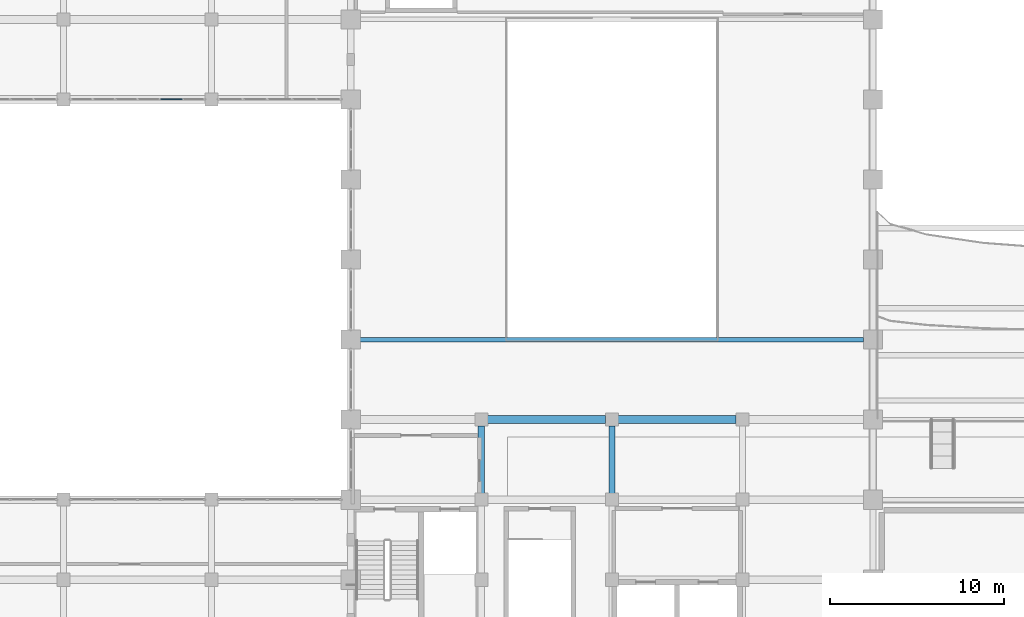
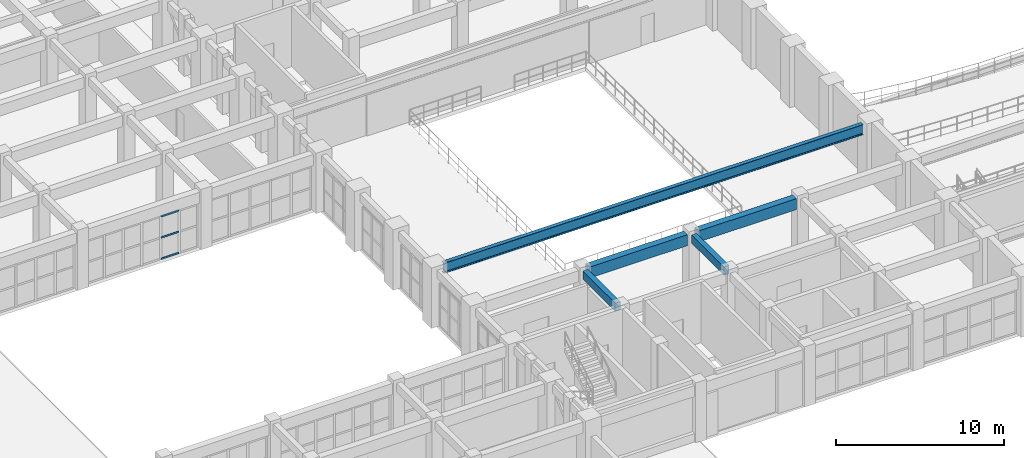
# One storey, part 16 of 90: 5 beams, 3 members, 1 element without a shape of its own.
"""IFC4 building model written with IfcOpenShell, lengths in metres."""

from ifc_helpers import new_model, si_unit, direction, frame, origin, origin_2d, place, context, subcontext, project, spatial, rectangle, hollow_rectangle, i_section, extrude, material, layer, layer_set, material_profile, profile_set, type_object, element, aggregate, save


model = new_model("IFC4")

# Units and contexts
model_context = context("Model", 3, precision=1e-05, world=origin(), true_north=direction((0.0, 1.0)))
body_context = subcontext(model_context, "Body", "Model", "MODEL_VIEW")
ifc_project = project(units=[si_unit("LENGTHUNIT", "METRE"), si_unit("AREAUNIT", "SQUARE_METRE"), si_unit("VOLUMEUNIT", "CUBIC_METRE"), si_unit("PLANEANGLEUNIT", "RADIAN"), si_unit("MASSUNIT", "GRAM", prefix="KILO")], contexts=[model_context])

# Site, building, storey
site_placement = place(None, origin())
site = spatial("IfcSite", under=ifc_project, at=site_placement, CompositionType="ELEMENT")
building_placement = place(site_placement, origin())
building = spatial("IfcBuilding", under=site, at=building_placement, Name="Muzn Square Opera House", CompositionType="ELEMENT")
storey_placement = place(building_placement, frame((0.0, 0.0, 9.800048828125)))
storey = spatial("IfcBuildingStorey", under=building, at=storey_placement, Name="L02", CompositionType="ELEMENT", Elevation=9.800048828125)

# Curtain wall, members
ifc_material_1 = material(Name="Low-E laminated acoustic double glazing", Category="glass")
ifc_layer = layer(ifc_material_1, 0.159912109375, Name="Low-E laminated acoustic double glazing", Category="glass")
ifc_layer_set = layer_set([ifc_layer], Name="Low-E laminated acoustic double glazing")
curtain_wall_type = type_object("IfcCurtainWallType", Name="Glazed Curtain Wall WestCloisterN 7750x3150", PredefinedType="USERDEFINED", material=ifc_layer_set)
curtain_wall_placement = place(storey_placement, origin())
curtain_wall = element("IfcCurtainWall", 1, at=curtain_wall_placement, inside=storey, type_object=curtain_wall_type, Name="Glazed Curtain Wall CW-L02-096", ObjectType="GLAZED CURTAIN WALL", PredefinedType="USERDEFINED")
ifc_material_2 = material(Name="Anodised bronze aluminium 6063-T6", Category="metal")
ifc_material_profile_1 = material_profile(ifc_material_2, hollow_rectangle(XDim=0.06005859375, YDim=0.1201171875, WallThickness=0.00390625, at=origin_2d()), Name="ALU 120x60x4", Category="metal")
ifc_profile_set_1 = profile_set([ifc_material_profile_1], Name="Anodised bronze aluminium 6063-T6")
member_type = type_object("IfcMemberType", Name="Curtain Wall Transom 120x60", PredefinedType="USERDEFINED", material=ifc_profile_set_1)
member_1_placement = place(storey_placement, frame((32.07177734375, 54.199951171875, 0.030029296875), z_axis=(1.0, 0.0, 0.0), x_axis=(0.0, 1.0, 0.0)))
member_1 = element("IfcMember", 2, at=member_1_placement, type_object=member_type, Name="CW-WCN-77x31 transom 5.1", ObjectType="TRANSOM", PredefinedType="USERDEFINED", context=body_context, shape_type="SweptSolid", body=[
    extrude(hollow_rectangle(XDim=0.06005859375, YDim=0.1201171875, WallThickness=0.00390625, at=origin_2d()), origin(), (0.0, 0.0, 1.0), 1.2314453125),
])
member_2_placement = place(storey_placement, frame((32.07177734375, 54.199951171875, 1.574951171875), z_axis=(1.0, 0.0, 0.0), x_axis=(0.0, 1.0, 0.0)))
member_2 = element("IfcMember", 3, at=member_2_placement, type_object=member_type, Name="CW-WCN-77x31 transom 5.2", ObjectType="TRANSOM", PredefinedType="USERDEFINED", context=body_context, shape_type="SweptSolid", body=[
    extrude(hollow_rectangle(XDim=0.06005859375, YDim=0.1201171875, WallThickness=0.00390625, at=origin_2d()), origin(), (0.0, 0.0, 1.0), 1.2314453125),
])
member_3_placement = place(storey_placement, frame((32.07177734375, 54.199951171875, 3.119873046875), z_axis=(1.0, 0.0, 0.0), x_axis=(0.0, 1.0, 0.0)))
member_3 = element("IfcMember", 4, at=member_3_placement, type_object=member_type, Name="CW-WCN-77x31 transom 5.3", ObjectType="TRANSOM", PredefinedType="USERDEFINED", context=body_context, shape_type="SweptSolid", body=[
    extrude(hollow_rectangle(XDim=0.06005859375, YDim=0.1201171875, WallThickness=0.00390625, at=origin_2d()), origin(), (0.0, 0.0, 1.0), 1.2314453125),
])
aggregate(curtain_wall, [member_1, member_2, member_3])

# Beams
ifc_material_3 = material(Name="Steel S355", Category="steel")
ifc_material_profile_2 = material_profile(ifc_material_3, i_section(OverallWidth=0.264892578125, OverallDepth=0.7529296875, WebThickness=0.01318359375, FlangeThickness=0.01708984375, FilletRadius=0.01708984375, at=origin_2d()), Name="IPE 750x147", Category="steel")
ifc_profile_set_2 = profile_set([ifc_material_profile_2], Name="Steel S355")
beam_type_1 = type_object("IfcBeamType", Name="Long Span Foyer Beam IPE750", PredefinedType="BEAM", material=ifc_profile_set_2)
beam_placement = place(storey_placement, frame((43.5419921875, 40.39990234375, 3.743408203125), z_axis=(1.0, 0.0, 0.0), x_axis=(0.0, 1.0, 0.0)))
element("IfcBeam", 5, at=beam_placement, inside=storey, type_object=beam_type_1, Name="Primary Girder BM-L02-BM-LF750-435_404_725_404-2007", PredefinedType="BEAM", context=body_context, shape_type="SweptSolid", body=[
    extrude(i_section(OverallWidth=0.264892578125, OverallDepth=0.7529296875, WebThickness=0.01318359375, FlangeThickness=0.01708984375, FilletRadius=0.01708984375, at=origin_2d()), origin(), (0.0, 0.0, 1.0), 28.916015625),
])
ifc_material_4 = material(Name="Concrete C40/50", Category="concrete")
ifc_material_profile_3 = material_profile(ifc_material_4, rectangle(XDim=0.35009765625, YDim=0.60009765625, at=origin_2d()), Name="RCB 350x600", Category="concrete")
ifc_profile_set_3 = profile_set([ifc_material_profile_3], Name="Concrete C40/50")
beam_type_2 = type_object("IfcBeamType", Name="Primary Girder 350x600", PredefinedType="BEAM", material=ifc_profile_set_3)
for number, where, z_axis, x_axis, name in (
    (6, (50.5, 31.56689453125, 3.820068359375), (0.0, 1.0, 0.0), (-1.0, 0.0, 0.0), "Primary Girder BM-L02-BM-PG600-505_316_505_354-2170"),
    (7, (58.0, 31.56689453125, 3.820068359375), (0.0, 1.0, 0.0), (-1.0, 0.0, 0.0), "Primary Girder BM-L02-BM-PG600-580_316_580_354-2179"),
):
    element("IfcBeam", number, at=place(storey_placement, frame(where, z_axis=z_axis, x_axis=x_axis)), inside=storey, type_object=beam_type_2, Name=name, PredefinedType="BEAM", context=body_context, shape_type="SweptSolid", body=[
        extrude(rectangle(XDim=0.35009765625, YDim=0.60009765625, at=origin_2d()), origin(), (0.0, 0.0, 1.0), 3.8662109375),
    ])
ifc_material_profile_4 = material_profile(ifc_material_4, rectangle(XDim=0.449951171875, YDim=0.800048828125, at=origin_2d()), Name="RCB 450x800", Category="concrete")
ifc_profile_set_4 = profile_set([ifc_material_profile_4], Name="Concrete C40/50")
beam_type_3 = type_object("IfcBeamType", Name="Primary Girder 450x800", PredefinedType="BEAM", material=ifc_profile_set_4)
for number, where, z_axis, x_axis, name in (
    (8, (50.866943359375, 35.800048828125, 3.719970703125), (1.0, 0.0, 0.0), (0.0, 1.0, 0.0), "Primary Girder BM-L02-BM-PG800-509_358_576_358-1999"),
    (9, (58.366943359375, 35.800048828125, 3.719970703125), (1.0, 0.0, 0.0), (0.0, 1.0, 0.0), "Primary Girder BM-L02-BM-PG800-584_358_651_358-2000"),
):
    element("IfcBeam", number, at=place(storey_placement, frame(where, z_axis=z_axis, x_axis=x_axis)), inside=storey, type_object=beam_type_3, Name=name, PredefinedType="BEAM", context=body_context, shape_type="SweptSolid", body=[
        extrude(rectangle(XDim=0.449951171875, YDim=0.800048828125, at=origin_2d()), origin(), (0.0, 0.0, 1.0), 6.76611328125),
    ])

save(model, "model.ifc")
